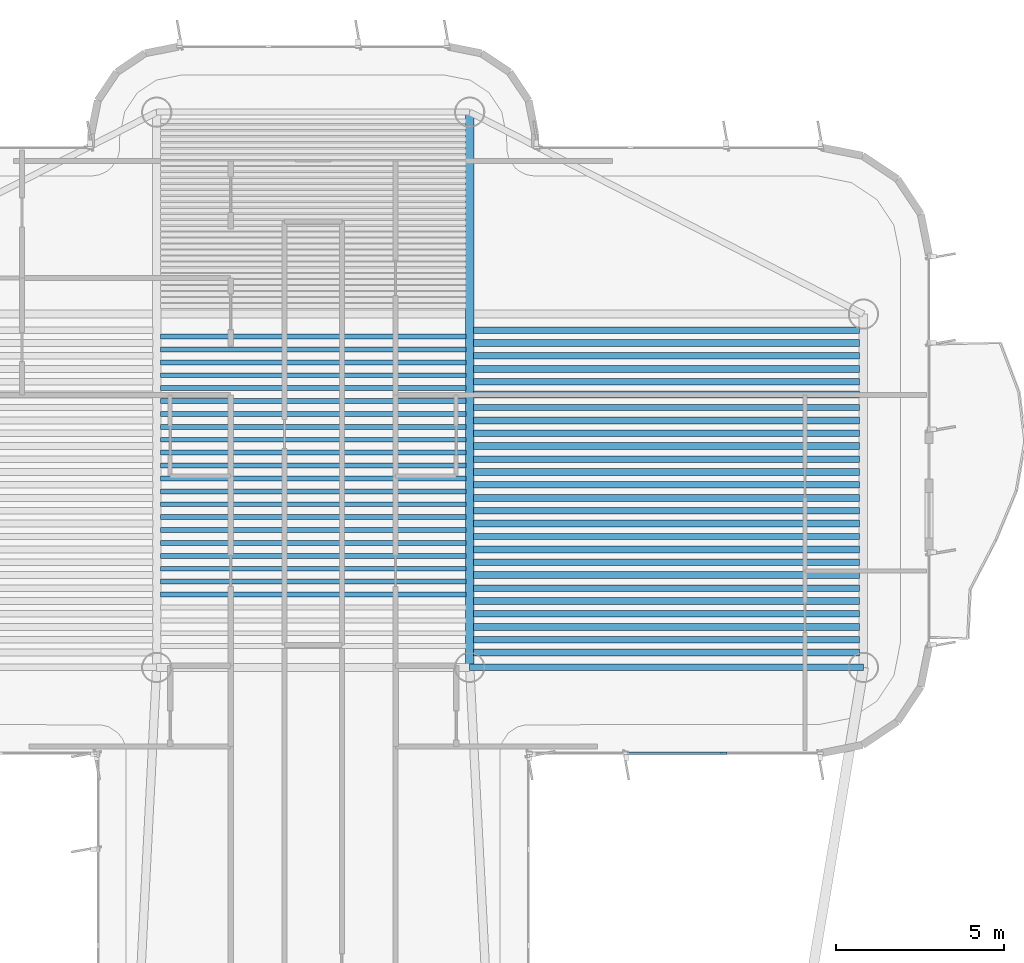
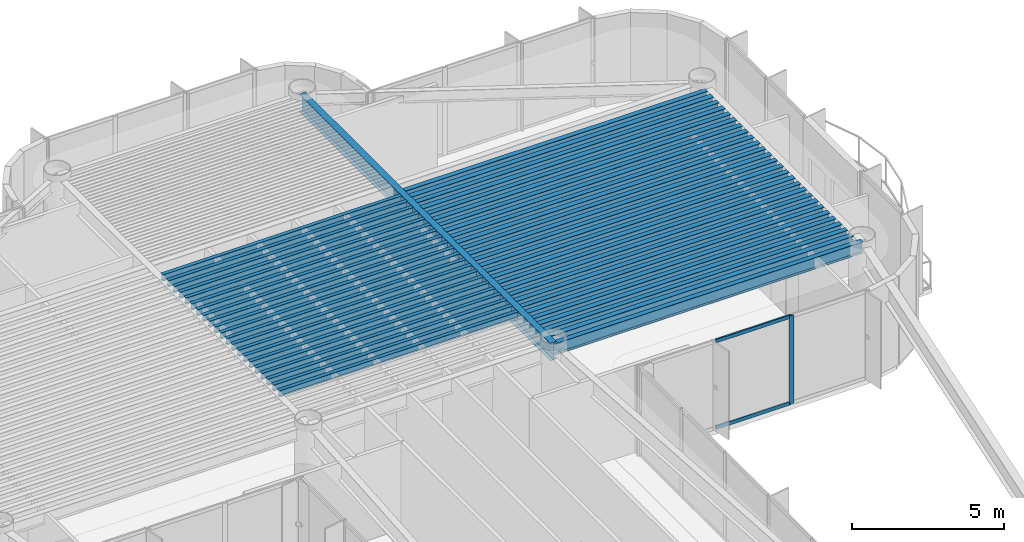
# One storey, part 6 of 15: 49 beams, 3 members, 1 element without a shape of its own.
"""IFC4 building model written with IfcOpenShell, lengths in metres."""

from ifc_helpers import new_model, si_unit, direction, frame, origin, origin_2d, place, context, subcontext, project, spatial, rectangle, i_section, extrude, source, transform, mapped, material, layer, layer_set, material_profile, profile_set, type_object, element, aggregate, save


model = new_model("IFC4")

# Units and contexts
model_context = context("Model", 3, precision=1e-05, world=origin(), true_north=direction((0.0, 1.0)))
body_context = subcontext(model_context, "Body", "Model", "MODEL_VIEW")
ifc_project = project(units=[si_unit("LENGTHUNIT", "METRE"), si_unit("AREAUNIT", "SQUARE_METRE"), si_unit("VOLUMEUNIT", "CUBIC_METRE"), si_unit("PLANEANGLEUNIT", "RADIAN"), si_unit("MASSUNIT", "GRAM", prefix="KILO")], contexts=[model_context])

# Site, building, storey
site_placement = place(None, origin())
site = spatial("IfcSite", under=ifc_project, at=site_placement, CompositionType="ELEMENT")
building_placement = place(site_placement, origin())
building = spatial("IfcBuilding", under=site, at=building_placement, Name="Brelvock Crest Care Tower", CompositionType="ELEMENT")
storey_placement = place(building_placement, frame((0.0, 0.0, 275.93994140625)))
storey = spatial("IfcBuildingStorey", under=building, at=storey_placement, Name="L70", CompositionType="ELEMENT", Elevation=275.93994140625)

# Beams
ifc_material_1 = material(Name="Steel Grade 350", Category="steel")
ifc_material_profile_1 = material_profile(ifc_material_1, i_section(OverallWidth=0.14599609375, OverallDepth=0.256103515625, WebThickness=0.00634765625, FlangeThickness=0.010986328125, FilletRadius=0.0087890625, at=origin_2d()), Name="250UB37.3")
ifc_profile_set_1 = profile_set([ifc_material_profile_1], Name="Steel Grade 350")
beam_type_1 = type_object("IfcBeamType", Name="BM-J3", PredefinedType="JOIST", material=ifc_profile_set_1)
shared_shape_1 = source(origin(), body_context, "Body", "SweptSolid", [
    extrude(i_section(OverallWidth=0.14599609375, OverallDepth=0.256103515625, WebThickness=0.00634765625, FlangeThickness=0.010986328125, FilletRadius=0.0087890625, at=origin_2d()), origin(), (0.0, 0.0, 1.0), 9.06982421875),
])
for number, where, z_axis, x_axis, name in (
    (1, (31.465087890625, 46.115478515625, 3.402099609375), (1.0, 0.0, 0.0), (0.0, 1.0, 0.0), "BM-JH-L70-5"),
    (2, (31.465087890625, 46.498779296875, 3.402099609375), (1.0, 0.0, 0.0), (0.0, 1.0, 0.0), "BM-JH-L70-6"),
    (3, (31.465087890625, 46.882080078125, 3.402099609375), (1.0, 0.0, 0.0), (0.0, 1.0, 0.0), "BM-JH-L70-7"),
    (4, (31.465087890625, 47.265380859375, 3.402099609375), (1.0, 0.0, 0.0), (0.0, 1.0, 0.0), "BM-JH-L70-8"),
    (5, (31.465087890625, 47.648681640625, 3.402099609375), (1.0, 0.0, 0.0), (0.0, 1.0, 0.0), "BM-JH-L70-9"),
    (6, (31.465087890625, 48.031982421875, 3.402099609375), (1.0, 0.0, 0.0), (0.0, 1.0, 0.0), "BM-JH-L70-10"),
    (7, (31.465087890625, 48.4150390625, 3.402099609375), (1.0, 0.0, 0.0), (0.0, 1.0, 0.0), "BM-JH-L70-11"),
    (8, (31.465087890625, 48.79833984375, 3.402099609375), (1.0, 0.0, 0.0), (0.0, 1.0, 0.0), "BM-JH-L70-12"),
    (9, (31.465087890625, 49.181640625, 3.402099609375), (1.0, 0.0, 0.0), (0.0, 1.0, 0.0), "BM-JH-L70-13"),
    (10, (31.465087890625, 49.564697265625, 3.402099609375), (1.0, 0.0, 0.0), (0.0, 1.0, 0.0), "BM-JH-L70-14"),
    (11, (31.465087890625, 49.947998046875, 3.402099609375), (1.0, 0.0, 0.0), (0.0, 1.0, 0.0), "BM-JH-L70-15"),
    (12, (31.465087890625, 50.331298828125, 3.402099609375), (1.0, 0.0, 0.0), (0.0, 1.0, 0.0), "BM-JH-L70-16"),
    (13, (31.465087890625, 50.714599609375, 3.402099609375), (1.0, 0.0, 0.0), (0.0, 1.0, 0.0), "BM-JH-L70-17"),
    (14, (31.465087890625, 51.097900390625, 3.402099609375), (1.0, 0.0, 0.0), (0.0, 1.0, 0.0), "BM-JH-L70-18"),
    (15, (31.465087890625, 51.481201171875, 3.402099609375), (1.0, 0.0, 0.0), (0.0, 1.0, 0.0), "BM-JH-L70-19"),
    (16, (31.465087890625, 51.864501953125, 3.402099609375), (1.0, 0.0, 0.0), (0.0, 1.0, 0.0), "BM-JH-L70-20"),
    (17, (31.465087890625, 52.24755859375, 3.402099609375), (1.0, 0.0, 0.0), (0.0, 1.0, 0.0), "BM-JH-L70-21"),
    (18, (31.465087890625, 52.630859375, 3.402099609375), (1.0, 0.0, 0.0), (0.0, 1.0, 0.0), "BM-JH-L70-22"),
    (19, (31.465087890625, 53.01416015625, 3.402099609375), (1.0, 0.0, 0.0), (0.0, 1.0, 0.0), "BM-JH-L70-23"),
    (20, (31.465087890625, 53.3974609375, 3.402099609375), (1.0, 0.0, 0.0), (0.0, 1.0, 0.0), "BM-JH-L70-24"),
    (21, (31.465087890625, 53.780517578125, 3.402099609375), (1.0, 0.0, 0.0), (0.0, 1.0, 0.0), "BM-JH-L70-25"),
):
    element("IfcBeam", number, at=place(storey_placement, frame(where, z_axis=z_axis, x_axis=x_axis)), inside=storey, type_object=beam_type_1, Name=name, PredefinedType="JOIST", context=body_context, shape_type="MappedRepresentation", body=[
        mapped(shared_shape_1, transform((0.0, 0.0, 0.0), x_axis=(1.0, 0.0, 0.0), y_axis=(0.0, 1.0, 0.0), z_axis=(0.0, 0.0, 1.0), scale=1.0)),
    ])
ifc_material_profile_2 = material_profile(ifc_material_1, i_section(OverallWidth=0.19091796875, OverallDepth=0.4599609375, WebThickness=0.010009765625, FlangeThickness=0.01611328125, FilletRadius=0.011474609375, at=origin_2d()), Name="460UB82.1")
ifc_profile_set_2 = profile_set([ifc_material_profile_2], Name="Steel Grade 350")
beam_type_2 = type_object("IfcBeamType", Name="BM-G3", PredefinedType="BEAM", material=ifc_profile_set_2)
shared_shape_2 = source(origin(), body_context, "Body", "SweptSolid", [
    extrude(i_section(OverallWidth=0.19091796875, OverallDepth=0.4599609375, WebThickness=0.010009765625, FlangeThickness=0.01611328125, FilletRadius=0.011474609375, at=origin_2d()), origin(), (0.0, 0.0, 1.0), 11.47021484375),
])
for number, where, z_axis, x_axis, name in (
    (22, (40.764892578125, 44.7744140625, 3.300048828125), (1.0, 0.0, 0.0), (0.0, 1.0, 0.0), "BM-JE-L70-2"),
    (23, (40.764892578125, 45.540771484375, 3.300048828125), (1.0, 0.0, 0.0), (0.0, 1.0, 0.0), "BM-JE-L70-4"),
    (24, (40.764892578125, 46.307373046875, 3.300048828125), (1.0, 0.0, 0.0), (0.0, 1.0, 0.0), "BM-JE-L70-6"),
    (25, (40.764892578125, 47.07373046875, 3.300048828125), (1.0, 0.0, 0.0), (0.0, 1.0, 0.0), "BM-JE-L70-8"),
    (26, (40.764892578125, 47.84033203125, 3.300048828125), (1.0, 0.0, 0.0), (0.0, 1.0, 0.0), "BM-JE-L70-10"),
    (27, (40.764892578125, 48.606689453125, 3.300048828125), (1.0, 0.0, 0.0), (0.0, 1.0, 0.0), "BM-JE-L70-12"),
    (28, (40.764892578125, 49.373291015625, 3.300048828125), (1.0, 0.0, 0.0), (0.0, 1.0, 0.0), "BM-JE-L70-14"),
    (29, (40.764892578125, 50.139892578125, 3.300048828125), (1.0, 0.0, 0.0), (0.0, 1.0, 0.0), "BM-JE-L70-16"),
    (30, (40.764892578125, 50.90625, 3.300048828125), (1.0, 0.0, 0.0), (0.0, 1.0, 0.0), "BM-JE-L70-18"),
    (31, (40.764892578125, 51.6728515625, 3.300048828125), (1.0, 0.0, 0.0), (0.0, 1.0, 0.0), "BM-JE-L70-20"),
    (32, (40.764892578125, 52.439208984375, 3.300048828125), (1.0, 0.0, 0.0), (0.0, 1.0, 0.0), "BM-JE-L70-22"),
    (33, (40.764892578125, 53.205810546875, 3.300048828125), (1.0, 0.0, 0.0), (0.0, 1.0, 0.0), "BM-JE-L70-24"),
    (34, (40.764892578125, 53.972412109375, 3.300048828125), (1.0, 0.0, 0.0), (0.0, 1.0, 0.0), "BM-JE-L70-26"),
):
    element("IfcBeam", number, at=place(storey_placement, frame(where, z_axis=z_axis, x_axis=x_axis)), inside=storey, type_object=beam_type_2, Name=name, PredefinedType="BEAM", context=body_context, shape_type="MappedRepresentation", body=[
        mapped(shared_shape_2, transform((0.0, 0.0, 0.0), x_axis=(1.0, 0.0, 0.0), y_axis=(0.0, 1.0, 0.0), z_axis=(0.0, 0.0, 1.0), scale=1.0)),
    ])
ifc_material_profile_3 = material_profile(ifc_material_1, i_section(OverallWidth=0.208984375, OverallDepth=0.532958984375, WebThickness=0.01025390625, FlangeThickness=0.015625, FilletRadius=0.013916015625, at=origin_2d()), Name="530UB92.4")
ifc_profile_set_3 = profile_set([ifc_material_profile_3], Name="Steel Grade 350")
beam_type_3 = type_object("IfcBeamType", Name="BM-G2", PredefinedType="BEAM", material=ifc_profile_set_3)
shared_shape_3 = source(origin(), body_context, "Body", "SweptSolid", [
    extrude(i_section(OverallWidth=0.208984375, OverallDepth=0.532958984375, WebThickness=0.01025390625, FlangeThickness=0.015625, FilletRadius=0.013916015625, at=origin_2d()), origin(), (0.0, 0.0, 1.0), 11.47021484375),
])
for number, where, z_axis, x_axis, name in (
    (35, (40.764892578125, 44.39111328125, 3.263671875), (1.0, 0.0, 0.0), (0.0, 1.0, 0.0), "BM-JE-L70-1"),
    (36, (40.764892578125, 45.157470703125, 3.263671875), (1.0, 0.0, 0.0), (0.0, 1.0, 0.0), "BM-JE-L70-3"),
    (37, (40.764892578125, 45.924072265625, 3.263671875), (1.0, 0.0, 0.0), (0.0, 1.0, 0.0), "BM-JE-L70-5"),
    (38, (40.764892578125, 46.6904296875, 3.263671875), (1.0, 0.0, 0.0), (0.0, 1.0, 0.0), "BM-JE-L70-7"),
    (39, (40.764892578125, 47.45703125, 3.263671875), (1.0, 0.0, 0.0), (0.0, 1.0, 0.0), "BM-JE-L70-9"),
    (40, (40.764892578125, 48.223388671875, 3.263671875), (1.0, 0.0, 0.0), (0.0, 1.0, 0.0), "BM-JE-L70-11"),
    (41, (40.764892578125, 48.989990234375, 3.263671875), (1.0, 0.0, 0.0), (0.0, 1.0, 0.0), "BM-JE-L70-13"),
    (42, (40.764892578125, 49.756591796875, 3.263671875), (1.0, 0.0, 0.0), (0.0, 1.0, 0.0), "BM-JE-L70-15"),
    (43, (40.764892578125, 50.52294921875, 3.263671875), (1.0, 0.0, 0.0), (0.0, 1.0, 0.0), "BM-JE-L70-17"),
    (44, (40.764892578125, 51.28955078125, 3.263671875), (1.0, 0.0, 0.0), (0.0, 1.0, 0.0), "BM-JE-L70-19"),
    (45, (40.764892578125, 52.055908203125, 3.263671875), (1.0, 0.0, 0.0), (0.0, 1.0, 0.0), "BM-JE-L70-21"),
    (46, (40.764892578125, 52.822509765625, 3.263671875), (1.0, 0.0, 0.0), (0.0, 1.0, 0.0), "BM-JE-L70-23"),
    (47, (40.764892578125, 53.589111328125, 3.263671875), (1.0, 0.0, 0.0), (0.0, 1.0, 0.0), "BM-JE-L70-25"),
):
    element("IfcBeam", number, at=place(storey_placement, frame(where, z_axis=z_axis, x_axis=x_axis)), inside=storey, type_object=beam_type_3, Name=name, PredefinedType="BEAM", context=body_context, shape_type="MappedRepresentation", body=[
        mapped(shared_shape_3, transform((0.0, 0.0, 0.0), x_axis=(1.0, 0.0, 0.0), y_axis=(0.0, 1.0, 0.0), z_axis=(0.0, 0.0, 1.0), scale=1.0)),
    ])
ifc_material_profile_4 = material_profile(ifc_material_1, i_section(OverallWidth=0.19091796875, OverallDepth=0.4599609375, WebThickness=0.010009765625, FlangeThickness=0.01611328125, FilletRadius=0.011474609375, at=origin_2d()), Name="460UB82.1")
ifc_profile_set_4 = profile_set([ifc_material_profile_4], Name="Steel Grade 350")
beam_type_4 = type_object("IfcBeamType", Name="BM-SP2", PredefinedType="SPANDREL", material=ifc_profile_set_4)
shared_shape_4 = source(origin(), body_context, "Body", "SweptSolid", [
    extrude(i_section(OverallWidth=0.19091796875, OverallDepth=0.4599609375, WebThickness=0.010009765625, FlangeThickness=0.01611328125, FilletRadius=0.011474609375, at=origin_2d()), origin(), (0.0, 0.0, 1.0), 11.7001953125),
])
beam_1_placement = place(storey_placement, frame((40.64990234375, 43.949951171875, 3.300048828125), z_axis=(1.0, 0.0, 0.0), x_axis=(0.0, 1.0, 0.0)))
element("IfcBeam", 48, at=beam_1_placement, inside=storey, type_object=beam_type_4, Name="BM-TWR-L70-04", PredefinedType="SPANDREL", context=body_context, shape_type="MappedRepresentation", body=[
    mapped(shared_shape_4, transform((0.0, 0.0, 0.0), x_axis=(1.0, 0.0, 0.0), y_axis=(0.0, 1.0, 0.0), z_axis=(0.0, 0.0, 1.0), scale=1.0)),
])
ifc_material_profile_5 = material_profile(ifc_material_1, i_section(OverallWidth=0.25, OverallDepth=0.699951171875, WebThickness=0.011962890625, FlangeThickness=0.02001953125, at=origin_2d()), Name="700WB150")
ifc_profile_set_5 = profile_set([ifc_material_profile_5], Name="Steel Grade 350")
beam_type_5 = type_object("IfcBeamType", Name="BM-G4", PredefinedType="BEAM", material=ifc_profile_set_5)
shared_shape_5 = source(origin(), body_context, "Body", "SweptSolid", [
    extrude(i_section(OverallWidth=0.25, OverallDepth=0.699951171875, WebThickness=0.011962890625, FlangeThickness=0.02001953125, at=origin_2d()), origin(), (0.0, 0.0, 1.0), 16.5),
])
beam_2_placement = place(storey_placement, frame((40.64990234375, 43.949951171875, 3.18017578125), z_axis=(0.0, 1.0, 0.0), x_axis=(-1.0, 0.0, 0.0)))
element("IfcBeam", 49, at=beam_2_placement, inside=storey, type_object=beam_type_5, Name="BM-TWR-L70-10", PredefinedType="BEAM", context=body_context, shape_type="MappedRepresentation", body=[
    mapped(shared_shape_5, transform((0.0, 0.0, 0.0), x_axis=(1.0, 0.0, 0.0), y_axis=(0.0, 1.0, 0.0), z_axis=(0.0, 0.0, 1.0), scale=1.0)),
])

# Curtain wall, members
ifc_material_2 = material(Name="Dark Glass Double Glazed Low-E", Category="glass")
ifc_layer = layer(ifc_material_2, 0.239990234375, Name="CWS-5")
ifc_layer_set = layer_set([ifc_layer], Name="Dark Glass Double Glazed Low-E")
curtain_wall_type = type_object("IfcCurtainWallType", Name="CWS-5", PredefinedType="NOTDEFINED", material=ifc_layer_set)
curtain_wall_placement = place(storey_placement, origin())
curtain_wall = element("IfcCurtainWall", 50, at=curtain_wall_placement, inside=storey, type_object=curtain_wall_type, Name="L70 Curtain Wall E44", PredefinedType="NOTDEFINED")
ifc_material_3 = material(Name="Aluminium 6063-T6", Category="aluminium")
ifc_material_profile_6 = material_profile(ifc_material_3, rectangle(XDim=0.06005859375, YDim=0.179931640625, at=origin_2d()), Name="ALU60x180")
ifc_profile_set_6 = profile_set([ifc_material_profile_6], Name="Aluminium 6063-T6")
member_type_1 = type_object("IfcMemberType", Name="CWM-2", PredefinedType="MULLION", material=ifc_profile_set_6)
shared_shape_6 = source(origin(), body_context, "Body", "SweptSolid", [
    extrude(rectangle(XDim=0.06005859375, YDim=0.179931640625, at=origin_2d()), origin(), (0.0, 0.0, 1.0), 3.530029296875),
])
member_1_placement = place(storey_placement, frame((48.199951171875, 41.39990234375, 0.0), z_axis=(0.0, 0.0, 1.0), x_axis=(0.0, -1.0, 0.0)))
member_1 = element("IfcMember", 51, at=member_1_placement, type_object=member_type_1, Name="CW-5 mullion 2", PredefinedType="MULLION", context=body_context, shape_type="MappedRepresentation", body=[
    mapped(shared_shape_6, transform((0.0, 0.0, 0.0), x_axis=(1.0, 0.0, 0.0), y_axis=(0.0, 1.0, 0.0), z_axis=(0.0, 0.0, 1.0), scale=1.0)),
])
ifc_material_profile_7 = material_profile(ifc_material_3, rectangle(XDim=0.06005859375, YDim=0.139892578125, at=origin_2d()), Name="ALU60x140")
ifc_profile_set_7 = profile_set([ifc_material_profile_7], Name="Aluminium 6063-T6")
member_type_2 = type_object("IfcMemberType", Name="CWT-2", PredefinedType="USERDEFINED", material=ifc_profile_set_7)
shared_shape_7 = source(origin(), body_context, "Body", "SweptSolid", [
    extrude(rectangle(XDim=0.06005859375, YDim=0.139892578125, at=origin_2d()), origin(), (0.0, 0.0, 1.0), 2.83984375),
])
member_2_placement = place(storey_placement, frame((48.169921875, 41.39990234375, 0.030029296875), z_axis=(-1.0, 0.0, 0.0), x_axis=(0.0, -1.0, 0.0)))
member_2 = element("IfcMember", 52, at=member_2_placement, type_object=member_type_2, Name="CW-5 transom 2.1", ObjectType="TRANSOM", PredefinedType="USERDEFINED", context=body_context, shape_type="MappedRepresentation", body=[
    mapped(shared_shape_7, transform((0.0, 0.0, 0.0), x_axis=(1.0, 0.0, 0.0), y_axis=(0.0, 1.0, 0.0), z_axis=(0.0, 0.0, 1.0), scale=1.0)),
])
member_3_placement = place(storey_placement, frame((48.169921875, 41.39990234375, 3.5), z_axis=(-1.0, 0.0, 0.0), x_axis=(0.0, -1.0, 0.0)))
member_3 = element("IfcMember", 53, at=member_3_placement, type_object=member_type_2, Name="CW-5 transom 2.2", ObjectType="TRANSOM", PredefinedType="USERDEFINED", context=body_context, shape_type="MappedRepresentation", body=[
    mapped(shared_shape_7, transform((0.0, 0.0, 0.0), x_axis=(1.0, 0.0, 0.0), y_axis=(0.0, 1.0, 0.0), z_axis=(0.0, 0.0, 1.0), scale=1.0)),
])
aggregate(curtain_wall, [member_1, member_2, member_3])

save(model, "model.ifc")
